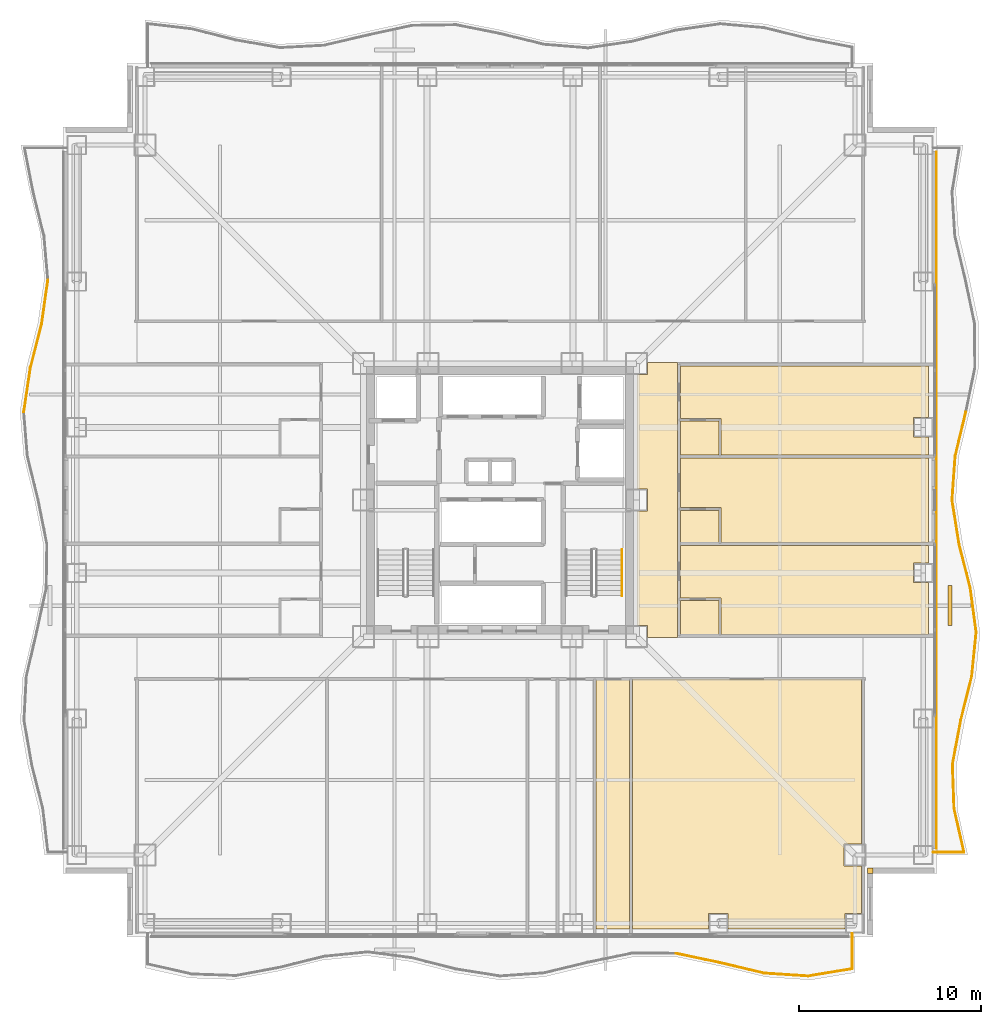
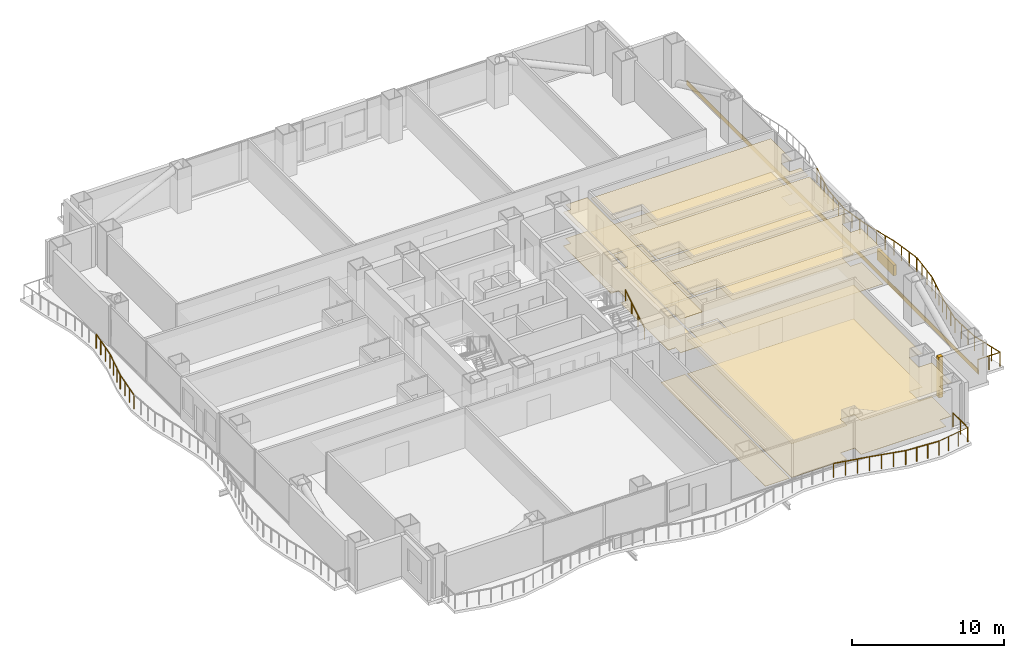
# One storey, part 22 of 24: 20 railings, 16 coverings, 1 shading device.
"""IFC4 building model written with IfcOpenShell, lengths in metres."""

from ifc_helpers import new_model, si_unit, direction, frame, frame_2d, origin, origin_2d, place, context, subcontext, project, spatial, polyline, rectangle, circle, outline, extrude, material, layer, layer_set, type_object, element, save


model = new_model("IFC4")

# Units and contexts
model_context = context("Model", 3, precision=1e-05, world=origin(), true_north=direction((0.0, 1.0)))
body_context = subcontext(model_context, "Body", "Model", "MODEL_VIEW")
ifc_project = project(units=[si_unit("LENGTHUNIT", "METRE"), si_unit("AREAUNIT", "SQUARE_METRE"), si_unit("VOLUMEUNIT", "CUBIC_METRE"), si_unit("PLANEANGLEUNIT", "RADIAN"), si_unit("MASSUNIT", "GRAM", prefix="KILO")], contexts=[model_context])

# Site, building, storey
site_placement = place(None, origin())
site = spatial("IfcSite", under=ifc_project, at=site_placement, CompositionType="ELEMENT")
building_placement = place(site_placement, origin())
building = spatial("IfcBuilding", under=site, at=building_placement, Name="Trevonay Congress Spire", CompositionType="ELEMENT")
storey_placement = place(building_placement, frame((0.0, 0.0, 55.0)))
storey = spatial("IfcBuildingStorey", under=building, at=storey_placement, Name="L13", CompositionType="ELEMENT", Elevation=55.0)

# Coverings
ifc_material_1 = material(Name="Acoustic Mineral Fibre Board", Category="gypsum")
ifc_layer_1 = layer(ifc_material_1, 0.02490234375, Name="Acoustic Mineral Fibre Board")
ifc_layer_set_1 = layer_set([ifc_layer_1], Name="Acoustic Mineral Fibre Board")
covering_type_1 = type_object("IfcCoveringType", Name="COV-CEIL-ACOUSTIC", PredefinedType="CEILING", material=ifc_layer_set_1)
covering_1_placement = place(storey_placement, frame((0.0, 0.0, 2.699951171875)))
element("IfcCovering", 1, at=covering_1_placement, inside=storey, type_object=covering_type_1, Name="L13 Hotel Floor Corridor East acoustic suspended ceiling", PredefinedType="CEILING", context=body_context, shape_type="SweptSolid", body=[
    extrude(outline(polyline([(9.75, -7.550048828125), (8.110107421875, -7.550048828125), (8.110107421875, -6.889892578125), (7.550048828125, -6.889892578125), (7.550048828125, -0.610107421875), (8.110107421875, -0.610107421875), (8.110107421875, 0.610107421875), (7.550048828125, 0.610107421875), (7.550048828125, 6.889892578125), (8.110107421875, 6.889892578125), (8.110107421875, 7.550048828125), (9.75, 7.550048828125), (9.75, -7.550048828125)])), origin(), (0.0, 0.0, 1.0), 0.025146484375),
])
covering_2_placement = place(storey_placement, frame((0.0, 0.0, 2.699951171875)))
element("IfcCovering", 2, at=covering_2_placement, inside=storey, type_object=covering_type_1, Name="L13 Poolside Juice Bar acoustic suspended ceiling", PredefinedType="CEILING", context=body_context, shape_type="SweptSolid", body=[
    extrude(outline(polyline([(7.280029296875, -23.550048828125), (7.280029296875, -9.830078125), (19.8701171875, -9.830078125), (19.8701171875, -18.889892578125), (18.889892578125, -18.889892578125), (18.889892578125, -20.110107421875), (19.8701171875, -20.110107421875), (19.8701171875, -22.715087890625), (18.965087890625, -22.715087890625), (18.965087890625, -23.550048828125), (12.534912109375, -23.550048828125), (12.534912109375, -22.715087890625), (11.465087890625, -22.715087890625), (11.465087890625, -23.550048828125), (7.280029296875, -23.550048828125)])), origin(), (0.0, 0.0, 1.0), 0.025146484375),
])
covering_3_placement = place(storey_placement, frame((0.0, 0.0, 2.699951171875)))
element("IfcCovering", 3, at=covering_3_placement, inside=storey, type_object=covering_type_1, Name="L13 Corner Hotel Suite acoustic suspended ceiling", PredefinedType="CEILING", context=body_context, shape_type="SweptSolid", body=[
    extrude(outline(polyline([(9.909912109375, -2.47998046875), (23.550048828125, -2.47998046875), (23.550048828125, -3.465087890625), (22.715087890625, -3.465087890625), (22.715087890625, -4.534912109375), (23.550048828125, -4.534912109375), (23.550048828125, -7.3701171875), (12.139892578125, -7.3701171875), (12.139892578125, -5.3720703125), (9.909912109375, -5.3720703125), (9.909912109375, -2.47998046875)])), origin(), (0.0, 0.0, 1.0), 0.025146484375),
])
covering_4_placement = place(storey_placement, frame((0.0, 0.0, 2.699951171875)))
element("IfcCovering", 4, at=covering_4_placement, inside=storey, type_object=covering_type_1, Name="L13 Corner Hotel Suite acoustic suspended ceiling", PredefinedType="CEILING", context=body_context, shape_type="SweptSolid", body=[
    extrude(outline(polyline([(9.909912109375, -0.4169921875), (9.909912109375, 2.320068359375), (23.550048828125, 2.320068359375), (23.550048828125, -2.320068359375), (12.139892578125, -2.320068359375), (12.139892578125, -0.4169921875), (9.909912109375, -0.4169921875)])), origin(), (0.0, 0.0, 1.0), 0.025146484375),
])
covering_5_placement = place(storey_placement, frame((0.0, 0.0, 2.699951171875)))
element("IfcCovering", 5, at=covering_5_placement, inside=storey, type_object=covering_type_1, Name="L13 Corner Hotel Suite acoustic suspended ceiling", PredefinedType="CEILING", context=body_context, shape_type="SweptSolid", body=[
    extrude(outline(polyline([(9.909912109375, 7.3701171875), (23.550048828125, 7.3701171875), (23.550048828125, 4.534912109375), (22.715087890625, 4.534912109375), (22.715087890625, 3.465087890625), (23.550048828125, 3.465087890625), (23.550048828125, 2.47998046875), (12.139892578125, 2.47998046875), (12.139892578125, 4.47802734375), (9.909912109375, 4.47802734375), (9.909912109375, 7.3701171875)])), origin(), (0.0, 0.0, 1.0), 0.025146484375),
])
ifc_material_2 = material(Name="Polished Granite Floor Tile", Category="masonry")
ifc_layer_2 = layer(ifc_material_2, 0.02001953125, Name="Polished Granite Floor Tile")
ifc_layer_set_2 = layer_set([ifc_layer_2], Name="Polished Granite Floor Tile")
covering_type_2 = type_object("IfcCoveringType", Name="COV-FLOOR-STONE", PredefinedType="FLOORING", material=ifc_layer_set_2)
covering_6_placement = place(storey_placement, origin())
element("IfcCovering", 6, at=covering_6_placement, inside=storey, type_object=covering_type_2, Name="L13 Hotel Floor Corridor East floor finish", PredefinedType="FLOORING", context=body_context, shape_type="SweptSolid", body=[
    extrude(outline(polyline([(9.75, -7.550048828125), (8.110107421875, -7.550048828125), (8.110107421875, -6.889892578125), (7.550048828125, -6.889892578125), (7.550048828125, -0.610107421875), (8.110107421875, -0.610107421875), (8.110107421875, 0.610107421875), (7.550048828125, 0.610107421875), (7.550048828125, 6.889892578125), (8.110107421875, 6.889892578125), (8.110107421875, 7.550048828125), (9.75, 7.550048828125), (9.75, -7.550048828125)])), origin(), (0.0, 0.0, 1.0), 0.02001953125),
])
covering_7_placement = place(storey_placement, origin())
element("IfcCovering", 7, at=covering_7_placement, inside=storey, type_object=covering_type_2, Name="L13 Accessible WC floor finish", PredefinedType="FLOORING", context=body_context, shape_type="SweptSolid", body=[
    extrude(outline(polyline([(5.280029296875, -23.550048828125), (7.1201171875, -23.550048828125), (7.1201171875, -9.830078125), (5.280029296875, -9.830078125), (5.280029296875, -23.550048828125)])), origin(), (0.0, 0.0, 1.0), 0.02001953125),
])
covering_8_placement = place(storey_placement, origin())
element("IfcCovering", 8, at=covering_8_placement, inside=storey, type_object=covering_type_2, Name="L13 Poolside Juice Bar floor finish", PredefinedType="FLOORING", context=body_context, shape_type="SweptSolid", body=[
    extrude(outline(polyline([(7.280029296875, -23.550048828125), (7.280029296875, -9.830078125), (19.8701171875, -9.830078125), (19.8701171875, -18.889892578125), (18.889892578125, -18.889892578125), (18.889892578125, -20.110107421875), (19.8701171875, -20.110107421875), (19.8701171875, -22.715087890625), (18.965087890625, -22.715087890625), (18.965087890625, -23.550048828125), (12.534912109375, -23.550048828125), (12.534912109375, -22.715087890625), (11.465087890625, -22.715087890625), (11.465087890625, -23.550048828125), (7.280029296875, -23.550048828125)])), origin(), (0.0, 0.0, 1.0), 0.02001953125),
])
covering_9_placement = place(storey_placement, origin())
element("IfcCovering", 9, at=covering_9_placement, inside=storey, type_object=covering_type_2, Name="L13 En-suite Bathroom floor finish", PredefinedType="FLOORING", context=body_context, shape_type="SweptSolid", body=[
    extrude(outline(polyline([(9.909912109375, -7.3701171875), (12.02001953125, -7.3701171875), (12.02001953125, -5.511962890625), (9.909912109375, -5.511962890625), (9.909912109375, -7.3701171875)])), origin(), (0.0, 0.0, 1.0), 0.02001953125),
])
covering_10_placement = place(storey_placement, origin())
element("IfcCovering", 10, at=covering_10_placement, inside=storey, type_object=covering_type_2, Name="L13 En-suite Bathroom floor finish", PredefinedType="FLOORING", context=body_context, shape_type="SweptSolid", body=[
    extrude(outline(polyline([(9.909912109375, -2.320068359375), (12.02001953125, -2.320068359375), (12.02001953125, -0.556884765625), (9.909912109375, -0.556884765625), (9.909912109375, -2.320068359375)])), origin(), (0.0, 0.0, 1.0), 0.02001953125),
])
covering_11_placement = place(storey_placement, origin())
element("IfcCovering", 11, at=covering_11_placement, inside=storey, type_object=covering_type_2, Name="L13 En-suite Bathroom floor finish", PredefinedType="FLOORING", context=body_context, shape_type="SweptSolid", body=[
    extrude(outline(polyline([(9.909912109375, 2.47998046875), (12.02001953125, 2.47998046875), (12.02001953125, 4.337890625), (9.909912109375, 4.337890625), (9.909912109375, 2.47998046875)])), origin(), (0.0, 0.0, 1.0), 0.02001953125),
])
ifc_material_3 = material(Name="Engineered Oak Flooring", Category="wood")
ifc_layer_3 = layer(ifc_material_3, 0.01806640625, Name="Engineered Oak Flooring")
ifc_layer_set_3 = layer_set([ifc_layer_3], Name="Engineered Oak Flooring")
covering_type_3 = type_object("IfcCoveringType", Name="COV-FLOOR-TIMBER", PredefinedType="FLOORING", material=ifc_layer_set_3)
covering_12_placement = place(storey_placement, origin())
element("IfcCovering", 12, at=covering_12_placement, inside=storey, type_object=covering_type_3, Name="L13 Corner Hotel Suite floor finish", PredefinedType="FLOORING", context=body_context, shape_type="SweptSolid", body=[
    extrude(outline(polyline([(9.909912109375, -2.47998046875), (23.550048828125, -2.47998046875), (23.550048828125, -3.465087890625), (22.715087890625, -3.465087890625), (22.715087890625, -4.534912109375), (23.550048828125, -4.534912109375), (23.550048828125, -7.3701171875), (12.139892578125, -7.3701171875), (12.139892578125, -5.3720703125), (9.909912109375, -5.3720703125), (9.909912109375, -2.47998046875)])), origin(), (0.0, 0.0, 1.0), 0.01806640625),
])
covering_13_placement = place(storey_placement, origin())
element("IfcCovering", 13, at=covering_13_placement, inside=storey, type_object=covering_type_3, Name="L13 Corner Hotel Suite floor finish", PredefinedType="FLOORING", context=body_context, shape_type="SweptSolid", body=[
    extrude(outline(polyline([(9.909912109375, -0.4169921875), (9.909912109375, 2.320068359375), (23.550048828125, 2.320068359375), (23.550048828125, -2.320068359375), (12.139892578125, -2.320068359375), (12.139892578125, -0.4169921875), (9.909912109375, -0.4169921875)])), origin(), (0.0, 0.0, 1.0), 0.01806640625),
])
covering_14_placement = place(storey_placement, origin())
element("IfcCovering", 14, at=covering_14_placement, inside=storey, type_object=covering_type_3, Name="L13 Corner Hotel Suite floor finish", PredefinedType="FLOORING", context=body_context, shape_type="SweptSolid", body=[
    extrude(outline(polyline([(9.909912109375, 7.3701171875), (23.550048828125, 7.3701171875), (23.550048828125, 4.534912109375), (22.715087890625, 4.534912109375), (22.715087890625, 3.465087890625), (23.550048828125, 3.465087890625), (23.550048828125, 2.47998046875), (12.139892578125, 2.47998046875), (12.139892578125, 4.47802734375), (9.909912109375, 4.47802734375), (9.909912109375, 7.3701171875)])), origin(), (0.0, 0.0, 1.0), 0.01806640625),
])
ifc_material_4 = material(Name="Pale Anodised Aluminium EN AW-6063-T6", Category="aluminium")
ifc_layer_4 = layer(ifc_material_4, 0.0400390625, Name="Pale Anodised Aluminium EN AW-6063-T6")
ifc_layer_set_4 = layer_set([ifc_layer_4], Name="Pale Anodised Aluminium EN AW-6063-T6")
covering_type_4 = type_object("IfcCoveringType", Name="COV-SPANDREL-PALE-METAL", PredefinedType="CLADDING", material=ifc_layer_set_4)
covering_15_placement = place(storey_placement, frame((23.97998046875, -19.14990234375, -0.239990234375), z_axis=(0.0, 0.0, 1.0), x_axis=(0.0, 1.0, 0.0)))
element("IfcCovering", 15, at=covering_15_placement, inside=storey, type_object=covering_type_4, Name="L13 E pale-metal slab-edge spandrel cladding", PredefinedType="CLADDING", context=body_context, shape_type="SweptSolid", body=[
    extrude(rectangle(XDim=38.2998046875, YDim=0.0400390625, at=frame_2d((19.14990234375, 0.0))), origin(), (0.0, 0.0, 1.0), 0.360107421875),
])
covering_16_placement = place(storey_placement, origin())
element("IfcCovering", 16, at=covering_16_placement, inside=storey, type_object=covering_type_4, Name="L13 SE re-entrant notch corner closure trim", PredefinedType="CLADDING", context=body_context, shape_type="SweptSolid", body=[
    extrude(outline(polyline([(20.199951171875, -20.5), (20.5, -20.5), (20.5, -20.199951171875), (20.199951171875, -20.199951171875), (20.199951171875, -20.5)])), origin(), (0.0, 0.0, 1.0), 3.25),
])

# Railings
railing_type_1 = type_object("IfcRailingType", Name="RAL-EXT-GUARD-115", PredefinedType="GUARDRAIL", material=ifc_material_4)
railing_1_placement = place(storey_placement, frame((9.672119140625, -24.904052734375, 0.0)))
element("IfcRailing", 17, at=railing_1_placement, inside=storey, type_object=railing_type_1, Name="L13 perimeter safety guard GRD-L13-WAV-S-13", PredefinedType="GUARDRAIL", context=body_context, shape_type="SweptSolid", body=[
    extrude(circle(Radius=0.02392578125, at=origin_2d()), frame((0.0, 0.0, 1.1259765625), z_axis=(0.978550833288, -0.206005501556, 0.0), x_axis=(0.206005501556, 0.978550833288, 0.0)), (0.0, 0.0, 1.0), 2.470947265625),
    extrude(circle(Radius=0.02099609375, at=origin_2d()), origin(), (0.0, 0.0, 1.0), 1.101806640625),
    extrude(circle(Radius=0.02099609375, at=origin_2d()), frame((0.805908203125, -0.169677734375, 0.0)), (0.0, 0.0, 1.0), 1.101806640625),
    extrude(circle(Radius=0.02099609375, at=origin_2d()), frame((1.612060546875, -0.33935546875, 0.0)), (0.0, 0.0, 1.0), 1.101806640625),
    extrude(circle(Radius=0.02099609375, at=origin_2d()), frame((2.41796875, -0.509033203125, 0.0)), (0.0, 0.0, 1.0), 1.101806640625),
])
railing_2_placement = place(storey_placement, frame((12.090087890625, -25.4130859375, 0.0)))
element("IfcRailing", 18, at=railing_2_placement, inside=storey, type_object=railing_type_1, Name="L13 perimeter safety guard GRD-L13-WAV-S-14", PredefinedType="GUARDRAIL", context=body_context, shape_type="SweptSolid", body=[
    extrude(circle(Radius=0.02392578125, at=origin_2d()), frame((0.0, 0.0, 1.1259765625), z_axis=(0.9726975682, -0.232076368503, 0.0), x_axis=(0.232076368503, 0.9726975682, 0.0)), (0.0, 0.0, 1.0), 2.48583984375),
    extrude(circle(Radius=0.02099609375, at=origin_2d()), origin(), (0.0, 0.0, 1.0), 1.101806640625),
    extrude(circle(Radius=0.02099609375, at=origin_2d()), frame((0.805908203125, -0.1923828125, 0.0)), (0.0, 0.0, 1.0), 1.101806640625),
    extrude(circle(Radius=0.02099609375, at=origin_2d()), frame((1.612060546875, -0.384521484375, 0.0)), (0.0, 0.0, 1.0), 1.101806640625),
    extrude(circle(Radius=0.02099609375, at=origin_2d()), frame((2.41796875, -0.576904296875, 0.0)), (0.0, 0.0, 1.0), 1.101806640625),
])
railing_3_placement = place(storey_placement, frame((14.508056640625, -25.989990234375, 0.0)))
element("IfcRailing", 19, at=railing_3_placement, inside=storey, type_object=railing_type_1, Name="L13 perimeter safety guard GRD-L13-WAV-S-15", PredefinedType="GUARDRAIL", context=body_context, shape_type="SweptSolid", body=[
    extrude(circle(Radius=0.02392578125, at=origin_2d()), frame((0.0, 0.0, 1.1259765625), z_axis=(0.997872987922, -0.065188188932, 0.0), x_axis=(0.065188188932, 0.997872987922, 0.0)), (0.0, 0.0, 1.0), 2.423095703125),
    extrude(circle(Radius=0.02099609375, at=origin_2d()), origin(), (0.0, 0.0, 1.0), 1.101806640625),
    extrude(circle(Radius=0.02099609375, at=origin_2d()), frame((0.805908203125, -0.052734375, 0.0)), (0.0, 0.0, 1.0), 1.101806640625),
    extrude(circle(Radius=0.02099609375, at=origin_2d()), frame((1.612060546875, -0.105224609375, 0.0)), (0.0, 0.0, 1.0), 1.101806640625),
    extrude(circle(Radius=0.02099609375, at=origin_2d()), frame((2.41796875, -0.157958984375, 0.0)), (0.0, 0.0, 1.0), 1.101806640625),
])
railing_4_placement = place(storey_placement, frame((16.926025390625, -26.14794921875, 0.0)))
element("IfcRailing", 20, at=railing_4_placement, inside=storey, type_object=railing_type_1, Name="L13 perimeter safety guard GRD-L13-WAV-S-16", PredefinedType="GUARDRAIL", context=body_context, shape_type="SweptSolid", body=[
    extrude(circle(Radius=0.02392578125, at=origin_2d()), frame((0.0, 0.0, 1.1259765625), z_axis=(0.986725781282, 0.162395297202, 0.0), x_axis=(-0.162395297202, 0.986725781282, 0.0)), (0.0, 0.0, 1.0), 2.450439453125),
    extrude(circle(Radius=0.02099609375, at=origin_2d()), origin(), (0.0, 0.0, 1.0), 1.101806640625),
    extrude(circle(Radius=0.02099609375, at=origin_2d()), frame((0.805908203125, 0.132568359375, 0.0)), (0.0, 0.0, 1.0), 1.101806640625),
    extrude(circle(Radius=0.02099609375, at=origin_2d()), frame((1.612060546875, 0.265380859375, 0.0)), (0.0, 0.0, 1.0), 1.101806640625),
    extrude(circle(Radius=0.02099609375, at=origin_2d()), frame((2.41796875, 0.39794921875, 0.0)), (0.0, 0.0, 1.0), 1.101806640625),
])
railing_5_placement = place(storey_placement, frame((19.343994140625, -25.75, 0.0)))
element("IfcRailing", 21, at=railing_5_placement, inside=storey, type_object=railing_type_1, Name="L13 perimeter safety guard GRD-L13-WAV-S-17", PredefinedType="GUARDRAIL", context=body_context, shape_type="SweptSolid", body=[
    extrude(circle(Radius=0.02392578125, at=origin_2d()), frame((0.0, 0.0, 1.1259765625), z_axis=(0.0, 1.0, 0.0), x_axis=(-1.0, 0.0, 0.0)), (0.0, 0.0, 1.0), 1.94189453125),
    extrude(circle(Radius=0.02099609375, at=origin_2d()), origin(), (0.0, 0.0, 1.0), 1.101806640625),
    extrude(circle(Radius=0.02099609375, at=origin_2d()), frame((0.0, 0.970947265625, 0.0)), (0.0, 0.0, 1.0), 1.101806640625),
    extrude(circle(Radius=0.02099609375, at=origin_2d()), frame((0.0, 1.94189453125, 0.0)), (0.0, 0.0, 1.0), 1.101806640625),
])
railing_6_placement = place(storey_placement, frame((25.493896484375, -19.343994140625, 0.0)))
element("IfcRailing", 22, at=railing_6_placement, inside=storey, type_object=railing_type_1, Name="L13 perimeter safety guard GRD-L13-WAV-E-1", PredefinedType="GUARDRAIL", context=body_context, shape_type="SweptSolid", body=[
    extrude(circle(Radius=0.02392578125, at=origin_2d()), frame((0.0, 0.0, 1.1259765625), z_axis=(-0.220599401805, 0.975364497982, 0.0), x_axis=(-0.975364497982, -0.220599401805, 0.0)), (0.0, 0.0, 1.0), 2.47900390625),
    extrude(circle(Radius=0.02099609375, at=origin_2d()), origin(), (0.0, 0.0, 1.0), 1.101806640625),
    extrude(circle(Radius=0.02099609375, at=origin_2d()), frame((-0.182373046875, 0.805908203125, 0.0)), (0.0, 0.0, 1.0), 1.101806640625),
    extrude(circle(Radius=0.02099609375, at=origin_2d()), frame((-0.364501953125, 1.612060546875, 0.0)), (0.0, 0.0, 1.0), 1.101806640625),
    extrude(circle(Radius=0.02099609375, at=origin_2d()), frame((-0.546875, 2.41796875, 0.0)), (0.0, 0.0, 1.0), 1.101806640625),
])
railing_7_placement = place(storey_placement, frame((24.947021484375, -16.926025390625, 0.0)))
element("IfcRailing", 23, at=railing_7_placement, inside=storey, type_object=railing_type_1, Name="L13 perimeter safety guard GRD-L13-WAV-E-2", PredefinedType="GUARDRAIL", context=body_context, shape_type="SweptSolid", body=[
    extrude(circle(Radius=0.02392578125, at=origin_2d()), frame((0.0, 0.0, 1.1259765625), z_axis=(-0.034712508553, 0.999397339275, 0.0), x_axis=(-0.999397339275, -0.034712508553, 0.0)), (0.0, 0.0, 1.0), 2.41943359375),
    extrude(circle(Radius=0.02099609375, at=origin_2d()), origin(), (0.0, 0.0, 1.0), 1.101806640625),
    extrude(circle(Radius=0.02099609375, at=origin_2d()), frame((-0.028076171875, 0.805908203125, 0.0)), (0.0, 0.0, 1.0), 1.101806640625),
    extrude(circle(Radius=0.02099609375, at=origin_2d()), frame((-0.055908203125, 1.612060546875, 0.0)), (0.0, 0.0, 1.0), 1.101806640625),
    extrude(circle(Radius=0.02099609375, at=origin_2d()), frame((-0.083984375, 2.41796875, 0.0)), (0.0, 0.0, 1.0), 1.101806640625),
])
railing_8_placement = place(storey_placement, frame((24.863037109375, -14.508056640625, 0.0)))
element("IfcRailing", 24, at=railing_8_placement, inside=storey, type_object=railing_type_1, Name="L13 perimeter safety guard GRD-L13-WAV-E-3", PredefinedType="GUARDRAIL", context=body_context, shape_type="SweptSolid", body=[
    extrude(circle(Radius=0.02392578125, at=origin_2d()), frame((0.0, 0.0, 1.1259765625), z_axis=(0.184096785514, 0.982908120611, 0.0), x_axis=(-0.982908120611, 0.184096785514, 0.0)), (0.0, 0.0, 1.0), 2.4599609375),
    extrude(circle(Radius=0.02099609375, at=origin_2d()), origin(), (0.0, 0.0, 1.0), 1.101806640625),
    extrude(circle(Radius=0.02099609375, at=origin_2d()), frame((0.15087890625, 0.805908203125, 0.0)), (0.0, 0.0, 1.0), 1.101806640625),
    extrude(circle(Radius=0.02099609375, at=origin_2d()), frame((0.302001953125, 1.612060546875, 0.0)), (0.0, 0.0, 1.0), 1.101806640625),
    extrude(circle(Radius=0.02099609375, at=origin_2d()), frame((0.452880859375, 2.41796875, 0.0)), (0.0, 0.0, 1.0), 1.101806640625),
])
railing_9_placement = place(storey_placement, frame((25.31591796875, -12.090087890625, 0.0)))
element("IfcRailing", 25, at=railing_9_placement, inside=storey, type_object=railing_type_1, Name="L13 perimeter safety guard GRD-L13-WAV-E-4", PredefinedType="GUARDRAIL", context=body_context, shape_type="SweptSolid", body=[
    extrude(circle(Radius=0.02392578125, at=origin_2d()), frame((0.0, 0.0, 1.1259765625), z_axis=(0.241982351361, 0.970280650961, 0.0), x_axis=(-0.970280650961, 0.241982351361, 0.0)), (0.0, 0.0, 1.0), 2.491943359375),
    extrude(circle(Radius=0.02099609375, at=origin_2d()), origin(), (0.0, 0.0, 1.0), 1.101806640625),
    extrude(circle(Radius=0.02099609375, at=origin_2d()), frame((0.200927734375, 0.805908203125, 0.0)), (0.0, 0.0, 1.0), 1.101806640625),
    extrude(circle(Radius=0.02099609375, at=origin_2d()), frame((0.402099609375, 1.612060546875, 0.0)), (0.0, 0.0, 1.0), 1.101806640625),
    extrude(circle(Radius=0.02099609375, at=origin_2d()), frame((0.60302734375, 2.41796875, 0.0)), (0.0, 0.0, 1.0), 1.101806640625),
])
railing_10_placement = place(storey_placement, frame((25.9189453125, -9.672119140625, 0.0)))
element("IfcRailing", 26, at=railing_10_placement, inside=storey, type_object=railing_type_1, Name="L13 perimeter safety guard GRD-L13-WAV-E-5", PredefinedType="GUARDRAIL", context=body_context, shape_type="SweptSolid", body=[
    extrude(circle(Radius=0.02392578125, at=origin_2d()), frame((0.0, 0.0, 1.1259765625), z_axis=(0.100050722728, 0.994982337975, 0.0), x_axis=(-0.994982337975, 0.100050722728, 0.0)), (0.0, 0.0, 1.0), 2.430419921875),
    extrude(circle(Radius=0.02099609375, at=origin_2d()), origin(), (0.0, 0.0, 1.0), 1.101806640625),
    extrude(circle(Radius=0.02099609375, at=origin_2d()), frame((0.0810546875, 0.80615234375, 0.0)), (0.0, 0.0, 1.0), 1.101806640625),
    extrude(circle(Radius=0.02099609375, at=origin_2d()), frame((0.162109375, 1.612060546875, 0.0)), (0.0, 0.0, 1.0), 1.101806640625),
    extrude(circle(Radius=0.02099609375, at=origin_2d()), frame((0.2431640625, 2.418212890625, 0.0)), (0.0, 0.0, 1.0), 1.101806640625),
])
railing_11_placement = place(storey_placement, frame((26.162109375, -7.25390625, 0.0)))
element("IfcRailing", 27, at=railing_11_placement, inside=storey, type_object=railing_type_1, Name="L13 perimeter safety guard GRD-L13-WAV-E-6", PredefinedType="GUARDRAIL", context=body_context, shape_type="SweptSolid", body=[
    extrude(circle(Radius=0.02392578125, at=origin_2d()), frame((0.0, 0.0, 1.1259765625), z_axis=(-0.132406268885, 0.99119553064, 0.0), x_axis=(-0.99119553064, -0.132406268885, 0.0)), (0.0, 0.0, 1.0), 2.439453125),
    extrude(circle(Radius=0.02099609375, at=origin_2d()), origin(), (0.0, 0.0, 1.0), 1.101806640625),
    extrude(circle(Radius=0.02099609375, at=origin_2d()), frame((-0.107666015625, 0.805908203125, 0.0)), (0.0, 0.0, 1.0), 1.101806640625),
    extrude(circle(Radius=0.02099609375, at=origin_2d()), frame((-0.21533203125, 1.612060546875, 0.0)), (0.0, 0.0, 1.0), 1.101806640625),
    extrude(circle(Radius=0.02099609375, at=origin_2d()), frame((-0.322998046875, 2.41796875, 0.0)), (0.0, 0.0, 1.0), 1.101806640625),
])
railing_12_placement = place(storey_placement, frame((25.839111328125, -4.8359375, 0.0)))
element("IfcRailing", 28, at=railing_12_placement, inside=storey, type_object=railing_type_1, Name="L13 perimeter safety guard GRD-L13-WAV-E-7", PredefinedType="GUARDRAIL", context=body_context, shape_type="SweptSolid", body=[
    extrude(circle(Radius=0.02392578125, at=origin_2d()), frame((0.0, 0.0, 1.1259765625), z_axis=(-0.246493806495, 0.969144366624, 0.0), x_axis=(-0.969144366624, -0.246493806495, 0.0)), (0.0, 0.0, 1.0), 2.494873046875),
    extrude(circle(Radius=0.02099609375, at=origin_2d()), origin(), (0.0, 0.0, 1.0), 1.101806640625),
    extrude(circle(Radius=0.02099609375, at=origin_2d()), frame((-0.205078125, 0.805908203125, 0.0)), (0.0, 0.0, 1.0), 1.101806640625),
    extrude(circle(Radius=0.02099609375, at=origin_2d()), frame((-0.409912109375, 1.612060546875, 0.0)), (0.0, 0.0, 1.0), 1.101806640625),
    extrude(circle(Radius=0.02099609375, at=origin_2d()), frame((-0.614990234375, 2.41796875, 0.0)), (0.0, 0.0, 1.0), 1.101806640625),
])
railing_13_placement = place(storey_placement, frame((25.22412109375, -2.41796875, 0.0)))
element("IfcRailing", 29, at=railing_13_placement, inside=storey, type_object=railing_type_1, Name="L13 perimeter safety guard GRD-L13-WAV-E-8", PredefinedType="GUARDRAIL", context=body_context, shape_type="SweptSolid", body=[
    extrude(circle(Radius=0.02392578125, at=origin_2d()), frame((0.0, 0.0, 1.1259765625), z_axis=(-0.157733843965, 0.987481662852, 0.0), x_axis=(-0.987481662852, -0.157733843965, 0.0)), (0.0, 0.0, 1.0), 2.44873046875),
    extrude(circle(Radius=0.02099609375, at=origin_2d()), origin(), (0.0, 0.0, 1.0), 1.101806640625),
    extrude(circle(Radius=0.02099609375, at=origin_2d()), frame((-0.128662109375, 0.805908203125, 0.0)), (0.0, 0.0, 1.0), 1.101806640625),
    extrude(circle(Radius=0.02099609375, at=origin_2d()), frame((-0.257568359375, 1.612060546875, 0.0)), (0.0, 0.0, 1.0), 1.101806640625),
    extrude(circle(Radius=0.02099609375, at=origin_2d()), frame((-0.38623046875, 2.41796875, 0.0)), (0.0, 0.0, 1.0), 1.101806640625),
])
railing_14_placement = place(storey_placement, frame((24.837890625, 0.0, 0.0)))
element("IfcRailing", 30, at=railing_14_placement, inside=storey, type_object=railing_type_1, Name="L13 perimeter safety guard GRD-L13-WAV-E-9", PredefinedType="GUARDRAIL", context=body_context, shape_type="SweptSolid", body=[
    extrude(circle(Radius=0.02392578125, at=origin_2d()), frame((0.0, 0.0, 1.1259765625), z_axis=(0.070602853178, 0.997504504813, 0.0), x_axis=(-0.997504504813, 0.070602853178, 0.0)), (0.0, 0.0, 1.0), 2.424072265625),
    extrude(circle(Radius=0.02099609375, at=origin_2d()), origin(), (0.0, 0.0, 1.0), 1.101806640625),
    extrude(circle(Radius=0.02099609375, at=origin_2d()), frame((0.05712890625, 0.805908203125, 0.0)), (0.0, 0.0, 1.0), 1.101806640625),
    extrude(circle(Radius=0.02099609375, at=origin_2d()), frame((0.114013671875, 1.612060546875, 0.0)), (0.0, 0.0, 1.0), 1.101806640625),
    extrude(circle(Radius=0.02099609375, at=origin_2d()), frame((0.171142578125, 2.41796875, 0.0)), (0.0, 0.0, 1.0), 1.101806640625),
])
railing_15_placement = place(storey_placement, frame((25.009033203125, 2.41796875, 0.0)))
element("IfcRailing", 31, at=railing_15_placement, inside=storey, type_object=railing_type_1, Name="L13 perimeter safety guard GRD-L13-WAV-E-10", PredefinedType="GUARDRAIL", context=body_context, shape_type="SweptSolid", body=[
    extrude(circle(Radius=0.02392578125, at=origin_2d()), frame((0.0, 0.0, 1.1259765625), z_axis=(0.234768453457, 0.972051322339, 0.0), x_axis=(-0.972051322339, 0.234768453457, 0.0)), (0.0, 0.0, 1.0), 2.487548828125),
    extrude(circle(Radius=0.02099609375, at=origin_2d()), origin(), (0.0, 0.0, 1.0), 1.101806640625),
    extrude(circle(Radius=0.02099609375, at=origin_2d()), frame((0.194580078125, 0.805908203125, 0.0)), (0.0, 0.0, 1.0), 1.101806640625),
    extrude(circle(Radius=0.02099609375, at=origin_2d()), frame((0.389404296875, 1.612060546875, 0.0)), (0.0, 0.0, 1.0), 1.101806640625),
    extrude(circle(Radius=0.02099609375, at=origin_2d()), frame((0.583984375, 2.41796875, 0.0)), (0.0, 0.0, 1.0), 1.101806640625),
])
railing_16_placement = place(storey_placement, frame((23.80810546875, -19.343994140625, 0.0)))
element("IfcRailing", 32, at=railing_16_placement, inside=storey, type_object=railing_type_1, Name="L13 perimeter safety guard GRD-L13-WAV-E-34", PredefinedType="GUARDRAIL", context=body_context, shape_type="SweptSolid", body=[
    extrude(circle(Radius=0.02392578125, at=origin_2d()), frame((0.0, 0.0, 1.1259765625), z_axis=(1.0, 0.0, 0.0), x_axis=(0.0, 1.0, 0.0)), (0.0, 0.0, 1.0), 1.685791015625),
    extrude(circle(Radius=0.02099609375, at=origin_2d()), origin(), (0.0, 0.0, 1.0), 1.101806640625),
    extrude(circle(Radius=0.02099609375, at=origin_2d()), frame((0.8427734375, 0.0, 0.0)), (0.0, 0.0, 1.0), 1.101806640625),
    extrude(circle(Radius=0.02099609375, at=origin_2d()), frame((1.685791015625, 0.0, 0.0)), (0.0, 0.0, 1.0), 1.101806640625),
])
railing_17_placement = place(storey_placement, frame((-24.830078125, 12.090087890625, 0.0)))
element("IfcRailing", 33, at=railing_17_placement, inside=storey, type_object=railing_type_1, Name="L13 perimeter safety guard GRD-L13-WAV-W-21", PredefinedType="GUARDRAIL", context=body_context, shape_type="SweptSolid", body=[
    extrude(circle(Radius=0.02392578125, at=origin_2d()), frame((0.0, 0.0, 1.1259765625), z_axis=(-0.142806309095, -0.9897506545, 0.0), x_axis=(0.9897506545, -0.142806309095, 0.0)), (0.0, 0.0, 1.0), 2.443115234375),
    extrude(circle(Radius=0.02099609375, at=origin_2d()), origin(), (0.0, 0.0, 1.0), 1.101806640625),
    extrude(circle(Radius=0.02099609375, at=origin_2d()), frame((-0.1162109375, -0.805908203125, 0.0)), (0.0, 0.0, 1.0), 1.101806640625),
    extrude(circle(Radius=0.02099609375, at=origin_2d()), frame((-0.232666015625, -1.612060546875, 0.0)), (0.0, 0.0, 1.0), 1.101806640625),
    extrude(circle(Radius=0.02099609375, at=origin_2d()), frame((-0.348876953125, -2.41796875, 0.0)), (0.0, 0.0, 1.0), 1.101806640625),
])
railing_18_placement = place(storey_placement, frame((-25.178955078125, 9.672119140625, 0.0)))
element("IfcRailing", 34, at=railing_18_placement, inside=storey, type_object=railing_type_1, Name="L13 perimeter safety guard GRD-L13-WAV-W-22", PredefinedType="GUARDRAIL", context=body_context, shape_type="SweptSolid", body=[
    extrude(circle(Radius=0.02392578125, at=origin_2d()), frame((0.0, 0.0, 1.1259765625), z_axis=(-0.24720542541, -0.968963094059, 0.0), x_axis=(0.968963094059, -0.24720542541, 0.0)), (0.0, 0.0, 1.0), 2.49560546875),
    extrude(circle(Radius=0.02099609375, at=origin_2d()), origin(), (0.0, 0.0, 1.0), 1.101806640625),
    extrude(circle(Radius=0.02099609375, at=origin_2d()), frame((-0.20556640625, -0.80615234375, 0.0)), (0.0, 0.0, 1.0), 1.101806640625),
    extrude(circle(Radius=0.02099609375, at=origin_2d()), frame((-0.411376953125, -1.612060546875, 0.0)), (0.0, 0.0, 1.0), 1.101806640625),
    extrude(circle(Radius=0.02099609375, at=origin_2d()), frame((-0.616943359375, -2.418212890625, 0.0)), (0.0, 0.0, 1.0), 1.101806640625),
])
railing_19_placement = place(storey_placement, frame((-25.7958984375, 7.25390625, 0.0)))
element("IfcRailing", 35, at=railing_19_placement, inside=storey, type_object=railing_type_1, Name="L13 perimeter safety guard GRD-L13-WAV-W-23", PredefinedType="GUARDRAIL", context=body_context, shape_type="SweptSolid", body=[
    extrude(circle(Radius=0.02392578125, at=origin_2d()), frame((0.0, 0.0, 1.1259765625), z_axis=(-0.147695835677, -0.98903283066, 0.0), x_axis=(0.98903283066, -0.147695835677, 0.0)), (0.0, 0.0, 1.0), 2.44482421875),
    extrude(circle(Radius=0.02099609375, at=origin_2d()), origin(), (0.0, 0.0, 1.0), 1.101806640625),
    extrude(circle(Radius=0.02099609375, at=origin_2d()), frame((-0.120361328125, -0.805908203125, 0.0)), (0.0, 0.0, 1.0), 1.101806640625),
    extrude(circle(Radius=0.02099609375, at=origin_2d()), frame((-0.24072265625, -1.612060546875, 0.0)), (0.0, 0.0, 1.0), 1.101806640625),
    extrude(circle(Radius=0.02099609375, at=origin_2d()), frame((-0.361083984375, -2.41796875, 0.0)), (0.0, 0.0, 1.0), 1.101806640625),
])
railing_type_2 = type_object("IfcRailingType", Name="RAL-STAIR-HANDRAIL", PredefinedType="HANDRAIL", material=ifc_material_4)
railing_20_placement = place(storey_placement, frame((6.699951171875, -5.25, 0.175048828125)))
element("IfcRailing", 36, at=railing_20_placement, inside=storey, type_object=railing_type_2, Name="L13 ST-2 stair handrail 1", PredefinedType="HANDRAIL", context=body_context, shape_type="SweptSolid", body=[
    extrude(circle(Radius=0.02392578125, at=origin_2d()), frame((0.0, 0.0, 0.8759765625), z_axis=(0.0, 0.848007534815, 0.529984170421), x_axis=(-1.0, 0.0, 0.0)), (0.0, 0.0, 1.0), 2.9716796875),
    extrude(circle(Radius=0.02099609375, at=origin_2d()), origin(), (0.0, 0.0, 1.0), 0.851806640625),
    extrude(circle(Radius=0.02099609375, at=origin_2d()), frame((0.0, 0.840087890625, 0.52490234375)), (0.0, 0.0, 1.0), 0.851806640625),
    extrude(circle(Radius=0.02099609375, at=origin_2d()), frame((0.0, 1.679931640625, 1.050048828125)), (0.0, 0.0, 1.0), 0.851806640625),
    extrude(circle(Radius=0.02099609375, at=origin_2d()), frame((0.0, 2.52001953125, 1.574951171875)), (0.0, 0.0, 1.0), 0.851806640625),
])

# Shading device
shading_device_type = type_object("IfcShadingDeviceType", Name="SHD-LOUVRE-WAVE-ALUM", PredefinedType="USERDEFINED", material=ifc_material_4)
shading_device_placement = place(storey_placement, frame((24.719970703125, -5.800048828125, -0.01513671875), z_axis=(0.0, 0.0, 1.0), x_axis=(0.0, 1.0, 0.0)))
element("IfcShadingDevice", 37, at=shading_device_placement, inside=storey, type_object=shading_device_type, Name="L13 E sinusoidal balcony horizontal sunshade louvre", ObjectType="LOUVRE", PredefinedType="USERDEFINED", context=body_context, shape_type="SweptSolid", body=[
    extrude(rectangle(XDim=2.199951171875, YDim=0.219970703125, at=origin_2d()), origin(), (0.0, 0.0, 1.0), 0.85009765625),
])

save(model, "model.ifc")
